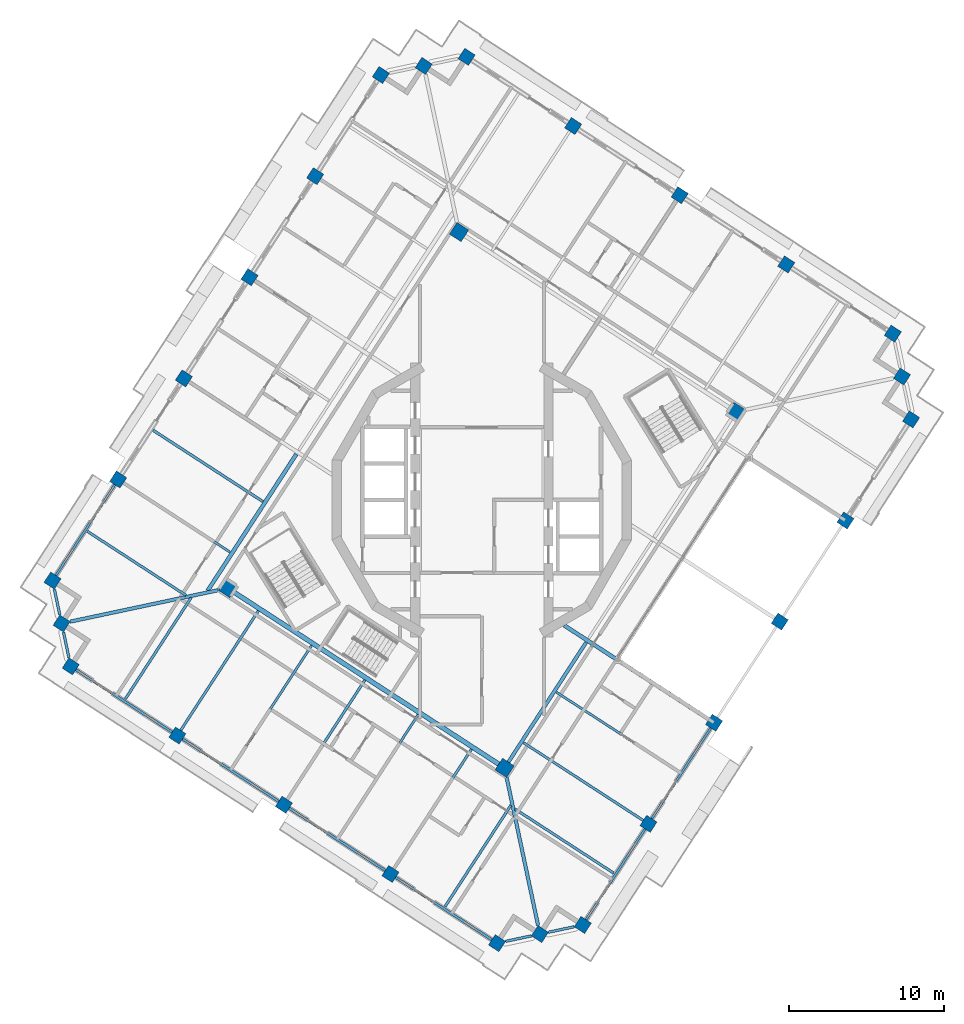
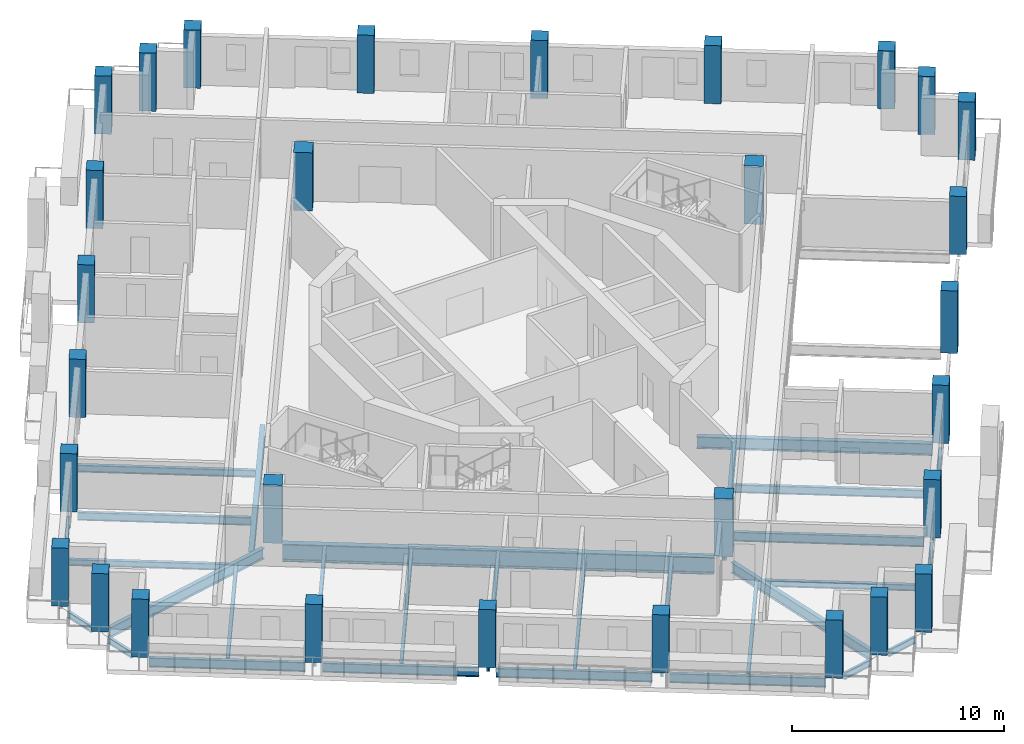
# One storey, part 1 of 17: 30 beams, 30 columns.
"""IFC4 building model written with IfcOpenShell, lengths in metres."""

import ifcopenshell
import ifcopenshell.guid

model = None  # the IFC model being written
_history = None  # IfcOwnerHistory: only IFC2X3 demands one
_inside = {}  # id of a spatial element -> (the spatial element, [elements in it])
_under = {}  # id of a project, library or spatial element -> (it, [spatial elements below it])
_declared = {}  # id of a project -> (the project, [libraries it declares])
_typed = {}  # id of a type object -> (the type object, [elements of that type])
_made_of = {}  # id of a material, layer set ... -> (it, [elements and type objects made of it])


def new_model(schema):
    """Start an empty IFC model of exactly this schema.

    Asked for "IFC4X3", IfcOpenShell would pick the latest addendum, in which some entities
    have other attributes; the version numbers below select the first issue.
    IFC2X3 requires an IfcOwnerHistory on every rooted entity: one is made here for all.
    """
    global model, _history
    if schema == "IFC4X3":
        model = ifcopenshell.file(schema_version=(4, 3, 0, 0))
    else:
        model = ifcopenshell.file(schema=schema)
    _inside.clear()
    _under.clear()
    _declared.clear()
    _typed.clear()
    _made_of.clear()
    _history = None
    if model.schema == "IFC2X3":
        org = make("IfcOrganization", Name="unknown")
        user = make(
            "IfcPersonAndOrganization",
            ThePerson=make("IfcPerson", FamilyName="unknown"),
            TheOrganization=org,
        )
        app = make(
            "IfcApplication",
            ApplicationDeveloper=org,
            Version="unknown",
            ApplicationFullName="unknown",
            ApplicationIdentifier="unknown",
        )
        _history = make(
            "IfcOwnerHistory",
            OwningUser=user,
            OwningApplication=app,
            ChangeAction="ADDED",
            CreationDate=0,
        )
    return model


def make(cls, **values):
    """One entity of the class cls with the attributes given. An attribute that is None is left unset."""
    return model.create_entity(
        cls, **{name: value for name, value in values.items() if value is not None}
    )


def rooted(cls, **values):
    """An entity with a GlobalId (a new one), such as an element, a storey or a relation."""
    return make(cls, GlobalId=ifcopenshell.guid.new(), OwnerHistory=_history, **values)


def si_unit(unit_type, name, prefix=None):
    """IfcSIUnit, for example si_unit("LENGTHUNIT", "METRE", prefix="MILLI")."""
    return make("IfcSIUnit", UnitType=unit_type, Prefix=prefix, Name=name)


def assignment(units):
    """IfcUnitAssignment: the units of a project."""
    return None if units is None else make("IfcUnitAssignment", Units=units)


def point(xyz):
    """IfcCartesianPoint."""
    return None if xyz is None else make("IfcCartesianPoint", Coordinates=xyz)


def direction(xyz):
    """IfcDirection."""
    return None if xyz is None else make("IfcDirection", DirectionRatios=xyz)


def frame(location, z_axis=None, x_axis=None):
    """IfcAxis2Placement3D, a coordinate frame: its origin and axes. An axis left out is left unset."""
    return make(
        "IfcAxis2Placement3D",
        Location=point(location),
        Axis=direction(z_axis),
        RefDirection=direction(x_axis),
    )


def frame_2d(location, x_axis=None):
    """IfcAxis2Placement2D, a coordinate frame in the plane: its origin and x axis."""
    return make(
        "IfcAxis2Placement2D", Location=point(location), RefDirection=direction(x_axis)
    )


def origin():
    """The frame at (0, 0, 0) with its axes left unset."""
    return frame((0.0, 0.0, 0.0))


def origin_2d():
    """The frame at (0, 0) in the plane with its x axis left unset."""
    return frame_2d((0.0, 0.0))


def place(relative_to, where):
    """IfcLocalPlacement: puts the frame where relative to a parent placement (None: the world)."""
    return make(
        "IfcLocalPlacement", PlacementRelTo=relative_to, RelativePlacement=where
    )


def context(
    kind, dimensions, precision=None, world=None, true_north=None, identifier=None
):
    """IfcGeometricRepresentationContext, for example the 3D "Model" context."""
    return make(
        "IfcGeometricRepresentationContext",
        ContextIdentifier=identifier,
        ContextType=kind,
        CoordinateSpaceDimension=dimensions,
        Precision=precision,
        WorldCoordinateSystem=world,
        TrueNorth=true_north,
    )


def subcontext(parent, identifier, kind, view, scale=None):
    """IfcGeometricRepresentationSubContext, for example "Body" below "Model"."""
    return make(
        "IfcGeometricRepresentationSubContext",
        ContextIdentifier=identifier,
        ContextType=kind,
        ParentContext=parent,
        TargetScale=scale,
        TargetView=view,
    )


def project(units=None, contexts=None):
    """IfcProject with its units and contexts."""
    return rooted(
        "IfcProject",
        Name="project",
        RepresentationContexts=contexts,
        UnitsInContext=assignment(units),
    )


def spatial(cls, under=None, at=None, **own):
    """A site, building, storey or space (cls), placed at a placement, below another one or the project."""
    s = rooted(cls, ObjectPlacement=at, **own)
    if under is not None:
        _under.setdefault(under.id(), (under, []))[1].append(s)
    return s


def profile(cls, at=None, kind="AREA", **sizes):
    """A parametric profile (cls). Its sizes go by their IFC names, for example OverallWidth=200.0."""
    return make(cls, ProfileType=kind, Position=at, **sizes)


def rectangle(**sizes):
    """IfcRectangleProfileDef."""
    return profile("IfcRectangleProfileDef", **sizes)


def i_section(**sizes):
    """IfcIShapeProfileDef."""
    return profile("IfcIShapeProfileDef", **sizes)


def extrude(swept, where, along, depth):
    """IfcExtrudedAreaSolid: the profile swept, set in the frame where, extruded along a direction by depth."""
    return make(
        "IfcExtrudedAreaSolid",
        SweptArea=swept,
        Position=where,
        ExtrudedDirection=direction(along),
        Depth=depth,
    )


def shape(context_of_items, identifier, shape_type, items):
    """IfcShapeRepresentation: the items that make up one representation, for example the "Body"."""
    return make(
        "IfcShapeRepresentation",
        ContextOfItems=context_of_items,
        RepresentationIdentifier=identifier,
        RepresentationType=shape_type,
        Items=items,
    )


def material(Name=None, Category=None):
    """IfcMaterial."""
    return make("IfcMaterial", Name=Name, Category=Category)


def material_profile(
    of_material, cross_section, Name=None, Category=None, Priority=None
):
    """IfcMaterialProfile: a cross section and its material."""
    return make(
        "IfcMaterialProfile",
        Name=Name,
        Material=of_material,
        Profile=cross_section,
        Priority=Priority,
        Category=Category,
    )


def profile_set(profiles, Name=None, composite=None):
    """IfcMaterialProfileSet."""
    return make(
        "IfcMaterialProfileSet",
        Name=Name,
        MaterialProfiles=profiles,
        CompositeProfile=composite,
    )


def made_of(thing, what):
    """Note that an element or type object is made of a material, layer set ...; save() writes the relation."""
    if what is not None:
        _made_of.setdefault(what.id(), (what, []))[1].append(thing)
    return thing


def type_object(cls, material=None, **own):
    """A type object (cls), such as IfcWallType, which elements share."""
    return made_of(rooted(cls, **own), material)


def element(
    cls,
    number,
    at=None,
    inside=None,
    cuts=None,
    type_object=None,
    material=None,
    context=None,
    identifier="Body",
    shape_type=None,
    held_by="IfcProductDefinitionShape",
    body=None,
    shapes=None,
    **own,
):
    """One element of the class cls, such as IfcWall. Its Tag is "e" and its number.

    at: its placement. inside: the storey or other place that contains it. cuts: it is an
    opening in that element (IfcRelVoidsElement). A single representation is given by context,
    identifier, shape_type and body (its items); several are given by shapes. held_by: the class
    of the entity that holds the representations. save() writes the other relations.
    """
    e = rooted(cls, Tag="e%d" % number, ObjectPlacement=at, **own)
    if body is not None:
        shapes = [shape(context, identifier, shape_type, body)]
    if shapes is not None:
        e.Representation = make(held_by, Representations=shapes)
    if inside is not None:
        _inside.setdefault(inside.id(), (inside, []))[1].append(e)
    if cuts is not None:
        rooted(
            "IfcRelVoidsElement", RelatingBuildingElement=cuts, RelatedOpeningElement=e
        )
    if type_object is not None:
        _typed.setdefault(type_object.id(), (type_object, []))[1].append(e)
    return made_of(e, material)


def aggregate(whole, parts):
    """IfcRelAggregates: a whole, such as a stair, and the parts it consists of."""
    return rooted("IfcRelAggregates", RelatingObject=whole, RelatedObjects=parts)


def save(model, path):
    """Write the relations noted so far, then the file.

    IfcRelAggregates (storeys below a building ...), IfcRelContainedInSpatialStructure (elements
    in a storey), IfcRelDefinesByType, IfcRelAssociatesMaterial and IfcRelDeclares: one each for
    every whole, place, type object, material and project.
    """
    for whole, parts in _under.values():
        aggregate(whole, parts)
    for where, things in _inside.values():
        rooted(
            "IfcRelContainedInSpatialStructure",
            RelatedElements=things,
            RelatingStructure=where,
        )
    for kind, things in _typed.values():
        rooted("IfcRelDefinesByType", RelatedObjects=things, RelatingType=kind)
    for what, things in _made_of.values():
        rooted("IfcRelAssociatesMaterial", RelatedObjects=things, RelatingMaterial=what)
    for by, libraries in _declared.values():
        rooted("IfcRelDeclares", RelatingContext=by, RelatedDefinitions=libraries)
    model.write(path)


model = new_model("IFC4")

# Units and contexts
model_context = context("Model", 3, precision=1e-05, world=origin(), true_north=direction((0.0, 1.0)))
body_context = subcontext(model_context, "Body", "Model", "MODEL_VIEW")
ifc_project = project(units=[si_unit("LENGTHUNIT", "METRE"), si_unit("AREAUNIT", "SQUARE_METRE"), si_unit("VOLUMEUNIT", "CUBIC_METRE"), si_unit("PLANEANGLEUNIT", "RADIAN"), si_unit("MASSUNIT", "GRAM", prefix="KILO")], contexts=[model_context])

# Site, building, storey
site_placement = place(None, origin())
site = spatial("IfcSite", under=ifc_project, at=site_placement, CompositionType="ELEMENT")
building_placement = place(site_placement, origin())
building = spatial("IfcBuilding", under=site, at=building_placement, Name="Cantera Rosa Tower", CompositionType="ELEMENT")
storey_placement = place(building_placement, frame((0.0, 0.0, 264.89990234375)))
storey = spatial("IfcBuildingStorey", under=building, at=storey_placement, Name="L59", CompositionType="ELEMENT", Elevation=264.89990234375)

# Columns
ifc_material_1 = material(Name="Concrete C50/60", Category="concrete")
ifc_material_profile_1 = material_profile(ifc_material_1, rectangle(XDim=0.800048828125, YDim=0.800048828125, at=origin_2d()), Name="RC COLUMN RC800X800 C50/60")
ifc_profile_set_1 = profile_set([ifc_material_profile_1], Name="Concrete C50/60")
column_type_1 = type_object("IfcColumnType", Name="RC COLUMN RC800X800 C50/60", PredefinedType="COLUMN", material=ifc_profile_set_1)
for number, where, z_axis, x_axis, name in (
    (1, (26.52587890625, 10.73486328125, 0.0), (0.0, 0.0, 1.0), (0.544639035015, 0.838670567945, 0.0), "C-Z5-01 L59"),
    (2, (19.64892578125, 15.20068359375, 0.0), (0.0, 0.0, 1.0), (0.544639035015, 0.838670567945, 0.0), "C-Z5-02 L59"),
    (3, (12.771728515625, 19.666748046875, 0.0), (0.0, 0.0, 1.0), (0.544639035015, 0.838670567945, 0.0), "C-Z5-03 L59"),
    (4, (5.894775390625, 24.1328125, 0.0), (0.0, 0.0, 1.0), (0.544639035015, 0.838670567945, 0.0), "C-Z5-04 L59"),
    (5, (-0.982421875, 28.598876953125, 0.0), (0.0, 0.0, 1.0), (0.544639035015, 0.838670567945, 0.0), "C-Z5-05 L59"),
    (6, (-3.7490234375, 28.0107421875, 0.0), (0.0, 0.0, 1.0), (0.544639035015, 0.838670567945, 0.0), "C-Z5-06 L59"),
    (7, (-6.515625, 27.4228515625, 0.0), (0.0, 0.0, 1.0), (0.544639035015, 0.838670567945, 0.0), "C-Z5-07 L59"),
    (8, (-10.7529296875, 20.89794921875, 0.0), (0.0, 0.0, 1.0), (0.544639035015, 0.838670567945, 0.0), "C-Z5-08 L59"),
    (9, (-14.990234375, 14.373046875, 0.0), (0.0, 0.0, 1.0), (0.544639035015, 0.838670567945, 0.0), "C-Z5-09 L59"),
    (10, (-19.2275390625, 7.84814453125, 0.0), (0.0, 0.0, 1.0), (0.544639035015, 0.838670567945, 0.0), "C-Z5-10 L59"),
    (11, (-23.46484375, 1.3232421875, 0.0), (0.0, 0.0, 1.0), (0.544639035015, 0.838670567945, 0.0), "C-Z5-11 L59"),
    (12, (-27.7021484375, -5.201416015625, 0.0), (0.0, 0.0, 1.0), (0.544639035015, 0.838670567945, 0.0), "C-Z5-12 L59"),
    (13, (-27.114013671875, -7.968017578125, 0.0), (0.0, 0.0, 1.0), (0.544639035015, 0.838670567945, 0.0), "C-Z5-13 L59"),
    (14, (-26.52587890625, -10.73486328125, 0.0), (0.0, 0.0, 1.0), (0.544639035015, 0.838670567945, 0.0), "C-Z5-14 L59"),
    (15, (-19.64892578125, -15.20068359375, 0.0), (0.0, 0.0, 1.0), (0.544639035015, 0.838670567945, 0.0), "C-Z5-15 L59"),
    (16, (-12.771728515625, -19.666748046875, 0.0), (0.0, 0.0, 1.0), (0.544639035015, 0.838670567945, 0.0), "C-Z5-16 L59"),
    (17, (-5.894775390625, -24.1328125, 0.0), (0.0, 0.0, 1.0), (0.544639035015, 0.838670567945, 0.0), "C-Z5-17 L59"),
    (18, (0.982421875, -28.598876953125, 0.0), (0.0, 0.0, 1.0), (0.544639035015, 0.838670567945, 0.0), "C-Z5-18 L59"),
    (19, (3.7490234375, -28.0107421875, 0.0), (0.0, 0.0, 1.0), (0.544639035015, 0.838670567945, 0.0), "C-Z5-19 L59"),
    (20, (6.515625, -27.4228515625, 0.0), (0.0, 0.0, 1.0), (0.544639035015, 0.838670567945, 0.0), "C-Z5-20 L59"),
    (21, (10.7529296875, -20.89794921875, 0.0), (0.0, 0.0, 1.0), (0.544639035015, 0.838670567945, 0.0), "C-Z5-21 L59"),
    (22, (14.990234375, -14.373046875, 0.0), (0.0, 0.0, 1.0), (0.544639035015, 0.838670567945, 0.0), "C-Z5-22 L59"),
):
    element("IfcColumn", number, at=place(storey_placement, frame(where, z_axis=z_axis, x_axis=x_axis)), inside=storey, type_object=column_type_1, Name=name, PredefinedType="COLUMN", context=body_context, shape_type="SweptSolid", body=[
        extrude(rectangle(XDim=0.800048828125, YDim=0.800048828125, at=origin_2d()), origin(), (0.0, 0.0, 1.0), 3.35009765625),
    ])
column_placement = place(storey_placement, frame((19.2275390625, -7.84814453125, -0.25), z_axis=(0.0, 0.0, 1.0), x_axis=(0.544639035015, 0.838670567945, 0.0)))
element("IfcColumn", 23, at=column_placement, inside=storey, type_object=column_type_1, Name="C-Z5-23 L59", PredefinedType="COLUMN", context=body_context, shape_type="SweptSolid", body=[
    extrude(rectangle(XDim=0.800048828125, YDim=0.800048828125, at=origin_2d()), origin(), (0.0, 0.0, 1.0), 3.60009765625),
])
for number, where, z_axis, x_axis, name in (
    (24, (23.46484375, -1.3232421875, 0.0), (0.0, 0.0, 1.0), (0.544639035015, 0.838670567945, 0.0), "C-Z5-24 L59"),
    (25, (27.7021484375, 5.201416015625, 0.0), (0.0, 0.0, 1.0), (0.544639035015, 0.838670567945, 0.0), "C-Z5-25 L59"),
    (26, (27.114013671875, 7.968017578125, 0.0), (0.0, 0.0, 1.0), (0.544639035015, 0.838670567945, 0.0), "C-Z5-26 L59"),
):
    element("IfcColumn", number, at=place(storey_placement, frame(where, z_axis=z_axis, x_axis=x_axis)), inside=storey, type_object=column_type_1, Name=name, PredefinedType="COLUMN", context=body_context, shape_type="SweptSolid", body=[
        extrude(rectangle(XDim=0.800048828125, YDim=0.800048828125, at=origin_2d()), origin(), (0.0, 0.0, 1.0), 3.35009765625),
    ])
ifc_material_2 = material(Name="Concrete C50/60", Category="concrete")
ifc_material_profile_2 = material_profile(ifc_material_2, rectangle(XDim=0.89990234375, YDim=0.89990234375, at=origin_2d()), Name="RC RING COLUMN RC900X900 C50/60")
ifc_profile_set_2 = profile_set([ifc_material_profile_2], Name="Concrete C50/60")
column_type_2 = type_object("IfcColumnType", Name="RC RING COLUMN RC900X900 C50/60", PredefinedType="COLUMN", material=ifc_profile_set_2)
for number, where, z_axis, x_axis, name in (
    (27, (-1.47021484375, 17.290283203125, 0.0), (0.0, 0.0, 1.0), (0.544639035015, 0.838670567945, 0.0), "CI-Z5-1 L59"),
    (28, (-16.393310546875, -5.689453125, 0.0), (0.0, 0.0, 1.0), (0.544639035015, 0.838670567945, 0.0), "CI-Z5-2 L59"),
    (29, (1.47021484375, -17.290283203125, 0.0), (0.0, 0.0, 1.0), (0.544639035015, 0.838670567945, 0.0), "CI-Z5-3 L59"),
    (30, (16.393310546875, 5.689453125, 0.0), (0.0, 0.0, 1.0), (0.544639035015, 0.838670567945, 0.0), "CI-Z5-4 L59"),
):
    element("IfcColumn", number, at=place(storey_placement, frame(where, z_axis=z_axis, x_axis=x_axis)), inside=storey, type_object=column_type_2, Name=name, PredefinedType="COLUMN", context=body_context, shape_type="SweptSolid", body=[
        extrude(rectangle(XDim=0.89990234375, YDim=0.89990234375, at=origin_2d()), origin(), (0.0, 0.0, 1.0), 3.35009765625),
    ])

# Beams
ifc_material_3 = material(Name="Steel ASTM A992 (Fy 345 MPa)", Category="steel")
ifc_material_profile_3 = material_profile(ifc_material_3, i_section(OverallWidth=0.302001953125, OverallDepth=1.010009765625, WebThickness=0.02099609375, FlangeThickness=0.0400390625, FilletRadius=0.030029296875, at=origin_2d()), Name="W1000X350")
ifc_profile_set_3 = profile_set([ifc_material_profile_3], Name="Steel ASTM A992 (Fy 345 MPa)")
beam_type_1 = type_object("IfcBeamType", Name="STEEL BEAM W1000X350", PredefinedType="BEAM", material=ifc_profile_set_3)
beam_1_placement = place(storey_placement, frame((1.0927734375, -17.045166015625, -0.7548828125), z_axis=(-0.838671580977, 0.54463747508, 0.0), x_axis=(-0.54463747508, -0.838671580977, 0.0)))
element("IfcBeam", 31, at=beam_1_placement, inside=storey, type_object=beam_type_1, Name="RB-Z5-09 L59", PredefinedType="BEAM", context=body_context, shape_type="SweptSolid", body=[
    extrude(i_section(OverallWidth=0.302001953125, OverallDepth=1.010009765625, WebThickness=0.02099609375, FlangeThickness=0.0400390625, FilletRadius=0.030029296875, at=origin_2d()), origin(), (0.0, 0.0, 1.0), 20.39990234375),
])
ifc_material_4 = material(Name="Steel ASTM A992 (Fy 345 MPa)", Category="steel")
ifc_material_profile_4 = material_profile(ifc_material_4, i_section(OverallWidth=0.154052734375, OverallDepth=0.4599609375, WebThickness=0.009033203125, FlangeThickness=0.015380859375, FilletRadius=0.01025390625, at=origin_2d()), Name="W460X68")
ifc_profile_set_4 = profile_set([ifc_material_profile_4], Name="Steel ASTM A992 (Fy 345 MPa)")
beam_type_2 = type_object("IfcBeamType", Name="STEEL BEAM W460X68", PredefinedType="BEAM", material=ifc_profile_set_4)
beam_2_placement = place(storey_placement, frame((-23.12939453125, 1.10546875, -0.47998046875), z_axis=(0.838672777751, -0.544635632198, 0.0), x_axis=(0.544635632198, 0.838672777751, 0.0)))
element("IfcBeam", 32, at=beam_2_placement, inside=storey, type_object=beam_type_2, Name="G-Z5-07 L59", PredefinedType="BEAM", context=body_context, shape_type="SweptSolid", body=[
    extrude(i_section(OverallWidth=0.154052734375, OverallDepth=0.4599609375, WebThickness=0.009033203125, FlangeThickness=0.015380859375, FilletRadius=0.01025390625, at=origin_2d()), origin(), (0.0, 0.0, 1.0), 8.2001953125),
])
ifc_material_5 = material(Name="Steel ASTM A992 (Fy 345 MPa)", Category="steel")
ifc_material_profile_5 = material_profile(ifc_material_5, i_section(OverallWidth=0.166015625, OverallDepth=0.528076171875, WebThickness=0.009765625, FlangeThickness=0.013671875, FilletRadius=0.0126953125, at=origin_2d()), Name="W530X74")
ifc_profile_set_5 = profile_set([ifc_material_profile_5], Name="Steel ASTM A992 (Fy 345 MPa)")
beam_type_3 = type_object("IfcBeamType", Name="STEEL BEAM W530X74", PredefinedType="BEAM", material=ifc_profile_set_5)
beam_3_placement = place(storey_placement, frame((10.41748046875, -20.68017578125, -0.513916015625), z_axis=(-0.838669083999, 0.544641320086, 0.0), x_axis=(-0.544641320086, -0.838669083999, 0.0)))
element("IfcBeam", 33, at=beam_3_placement, inside=storey, type_object=beam_type_3, Name="G-Z5-08 L59", PredefinedType="BEAM", context=body_context, shape_type="SweptSolid", body=[
    extrude(i_section(OverallWidth=0.166015625, OverallDepth=0.528076171875, WebThickness=0.009765625, FlangeThickness=0.013671875, FilletRadius=0.0126953125, at=origin_2d()), origin(), (0.0, 0.0, 1.0), 9.2001953125),
])
beam_4_placement = place(storey_placement, frame((-19.430908203125, -14.865234375, -0.513916015625), z_axis=(0.544634776066, 0.838673333724, 0.0), x_axis=(-0.838673333724, 0.544634776066, 0.0)))
element("IfcBeam", 34, at=beam_4_placement, inside=storey, type_object=beam_type_3, Name="G-Z5-12 L59", PredefinedType="BEAM", context=body_context, shape_type="SweptSolid", body=[
    extrude(i_section(OverallWidth=0.166015625, OverallDepth=0.528076171875, WebThickness=0.009765625, FlangeThickness=0.013671875, FilletRadius=0.0126953125, at=origin_2d()), origin(), (0.0, 0.0, 1.0), 9.19970703125),
])
beam_5_placement = place(storey_placement, frame((-12.553955078125, -19.331298828125, -0.513916015625), z_axis=(0.544641320086, 0.838669083999, 0.0), x_axis=(-0.838669083999, 0.544641320086, 0.0)))
element("IfcBeam", 35, at=beam_5_placement, inside=storey, type_object=beam_type_3, Name="G-Z5-13 L59", PredefinedType="BEAM", context=body_context, shape_type="SweptSolid", body=[
    extrude(i_section(OverallWidth=0.166015625, OverallDepth=0.528076171875, WebThickness=0.009765625, FlangeThickness=0.013671875, FilletRadius=0.0126953125, at=origin_2d()), origin(), (0.0, 0.0, 1.0), 9.2001953125),
])
beam_6_placement = place(storey_placement, frame((-5.6767578125, -23.79736328125, -0.513916015625), z_axis=(0.544622654601, 0.838681205283, 0.0), x_axis=(-0.838681205283, 0.544622654601, 0.0)))
element("IfcBeam", 36, at=beam_6_placement, inside=storey, type_object=beam_type_3, Name="G-Z5-14 L59", PredefinedType="BEAM", context=body_context, shape_type="SweptSolid", body=[
    extrude(i_section(OverallWidth=0.166015625, OverallDepth=0.528076171875, WebThickness=0.009765625, FlangeThickness=0.013671875, FilletRadius=0.0126953125, at=origin_2d()), origin(), (0.0, 0.0, 1.0), 9.199951171875),
])
ifc_material_6 = material(Name="Steel ASTM A992 (Fy 345 MPa)", Category="steel")
ifc_material_profile_6 = material_profile(ifc_material_6, i_section(OverallWidth=0.22802734375, OverallDepth=0.60205078125, WebThickness=0.010498046875, FlangeThickness=0.014892578125, FilletRadius=0.0126953125, at=origin_2d()), Name="W610X101")
ifc_profile_set_6 = profile_set([ifc_material_profile_6], Name="Steel ASTM A992 (Fy 345 MPa)")
beam_type_4 = type_object("IfcBeamType", Name="STEEL BEAM W610X101", PredefinedType="BEAM", material=ifc_profile_set_6)
for number, where, z_axis, x_axis, name in (
    (37, (-26.560791015625, -7.8505859375, -0.55078125), (0.978148167214, 0.20790902572, 0.0), (-0.20790902572, 0.978148167214, 0.0), "CB-Z5-02 L59"),
    (38, (3.63134765625, -27.45751953125, -0.55078125), (-0.20790902572, 0.978148167214, 0.0), (-0.978148167214, -0.20790902572, 0.0), "CB-Z5-03 L59"),
):
    element("IfcBeam", number, at=place(storey_placement, frame(where, z_axis=z_axis, x_axis=x_axis)), inside=storey, type_object=beam_type_4, Name=name, PredefinedType="BEAM", context=body_context, shape_type="SweptSolid", body=[
        extrude(i_section(OverallWidth=0.22802734375, OverallDepth=0.60205078125, WebThickness=0.010498046875, FlangeThickness=0.014892578125, FilletRadius=0.0126953125, at=origin_2d()), origin(), (0.0, 0.0, 1.0), 9.758056640625),
    ])
beam_7_placement = place(storey_placement, frame((1.71533203125, -16.912841796875, -0.55078125), z_axis=(0.54463982867, 0.838670052539, 0.0), x_axis=(-0.838670052539, 0.54463982867, 0.0)))
element("IfcBeam", 39, at=beam_7_placement, inside=storey, type_object=beam_type_4, Name="RB-Z5-04 L59", PredefinedType="BEAM", context=body_context, shape_type="SweptSolid", body=[
    extrude(i_section(OverallWidth=0.22802734375, OverallDepth=0.60205078125, WebThickness=0.010498046875, FlangeThickness=0.014892578125, FilletRadius=0.0126953125, at=origin_2d()), origin(), (0.0, 0.0, 1.0), 9.2099609375),
])
ifc_material_7 = material(Name="Steel ASTM A992 (Fy 345 MPa)", Category="steel")
ifc_material_profile_7 = material_profile(ifc_material_7, i_section(OverallWidth=0.25390625, OverallDepth=0.677978515625, WebThickness=0.01171875, FlangeThickness=0.016357421875, FilletRadius=0.01513671875, at=origin_2d()), Name="W690X125")
ifc_profile_set_7 = profile_set([ifc_material_profile_7], Name="Steel ASTM A992 (Fy 345 MPa)")
beam_type_5 = type_object("IfcBeamType", Name="STEEL BEAM W690X125", PredefinedType="BEAM", material=ifc_profile_set_7)
beam_8_placement = place(storey_placement, frame((14.65478515625, -14.1552734375, -0.5888671875), z_axis=(-0.838661833747, 0.544652484265, 0.0), x_axis=(-0.544652484265, -0.838661833747, 0.0)))
element("IfcBeam", 40, at=beam_8_placement, inside=storey, type_object=beam_type_5, Name="G-Z5-09 L59", PredefinedType="BEAM", context=body_context, shape_type="SweptSolid", body=[
    extrude(i_section(OverallWidth=0.25390625, OverallDepth=0.677978515625, WebThickness=0.01171875, FlangeThickness=0.016357421875, FilletRadius=0.01513671875, at=origin_2d()), origin(), (0.0, 0.0, 1.0), 11.141357421875),
])
beam_9_placement = place(storey_placement, frame((-17.695068359375, -5.857666015625, -0.5888671875), z_axis=(0.544635575355, 0.838672814665, 0.0), x_axis=(-0.838672814665, 0.544635575355, 0.0)))
element("IfcBeam", 41, at=beam_9_placement, inside=storey, type_object=beam_type_5, Name="RB-Z5-01 L59", PredefinedType="BEAM", context=body_context, shape_type="SweptSolid", body=[
    extrude(i_section(OverallWidth=0.25390625, OverallDepth=0.677978515625, WebThickness=0.01171875, FlangeThickness=0.016357421875, FilletRadius=0.01513671875, at=origin_2d()), origin(), (0.0, 0.0, 1.0), 10.510009765625),
])
ifc_material_8 = material(Name="Steel ASTM A992 (Fy 345 MPa)", Category="steel")
ifc_material_profile_8 = material_profile(ifc_material_8, i_section(OverallWidth=0.1708984375, OverallDepth=0.35595703125, WebThickness=0.00732421875, FlangeThickness=0.01171875, FilletRadius=0.010009765625, at=origin_2d()), Name="W360X51")
ifc_profile_set_8 = profile_set([ifc_material_profile_8], Name="Steel ASTM A992 (Fy 345 MPa)")
beam_type_6 = type_object("IfcBeamType", Name="STEEL JOIST W360X51", PredefinedType="JOIST", material=ifc_profile_set_8)
beam_10_placement = place(storey_placement, frame((-25.457763671875, -2.020751953125, -0.427978515625), z_axis=(0.838680170462, -0.54462424815, 0.0), x_axis=(0.54462424815, 0.838680170462, 0.0)))
element("IfcBeam", 42, at=beam_10_placement, inside=storey, type_object=beam_type_6, Name="B-Z5-09 L59", PredefinedType="JOIST", context=body_context, shape_type="SweptSolid", body=[
    extrude(i_section(OverallWidth=0.1708984375, OverallDepth=0.35595703125, WebThickness=0.00732421875, FlangeThickness=0.01171875, FilletRadius=0.010009765625, at=origin_2d()), origin(), (0.0, 0.0, 1.0), 7.590087890625),
])
beam_11_placement = place(storey_placement, frame((8.508544921875, -24.07861328125, -0.427978515625), z_axis=(-0.838670629323, 0.544638940502, 0.0), x_axis=(-0.544638940502, -0.838670629323, 0.0)))
element("IfcBeam", 43, at=beam_11_placement, inside=storey, type_object=beam_type_6, Name="B-Z5-10 L59", PredefinedType="JOIST", context=body_context, shape_type="SweptSolid", body=[
    extrude(i_section(OverallWidth=0.1708984375, OverallDepth=0.35595703125, WebThickness=0.00732421875, FlangeThickness=0.01171875, FilletRadius=0.010009765625, at=origin_2d()), origin(), (0.0, 0.0, 1.0), 7.58984375),
])
for number, where, z_axis, x_axis, name in (
    (44, (-23.005859375, -12.842041015625, -0.427978515625), (0.544641754757, 0.838668801718, 0.0), (-0.838668801718, 0.544641754757, 0.0), "B-Z5-15 L59"),
    (45, (-2.37451171875, -26.239990234375, -0.427978515625), (0.54465605183, 0.838659516851, 0.0), (-0.838659516851, 0.54465605183, 0.0), "B-Z5-18 L59"),
):
    element("IfcBeam", number, at=place(storey_placement, frame(where, z_axis=z_axis, x_axis=x_axis)), inside=storey, type_object=beam_type_6, Name=name, PredefinedType="JOIST", context=body_context, shape_type="SweptSolid", body=[
        extrude(i_section(OverallWidth=0.1708984375, OverallDepth=0.35595703125, WebThickness=0.00732421875, FlangeThickness=0.01171875, FilletRadius=0.010009765625, at=origin_2d()), origin(), (0.0, 0.0, 1.0), 7.800048828125),
    ])
ifc_material_9 = material(Name="Steel ASTM A992 (Fy 345 MPa)", Category="steel")
ifc_material_profile_9 = material_profile(ifc_material_9, i_section(OverallWidth=0.177978515625, OverallDepth=0.406005859375, WebThickness=0.0078125, FlangeThickness=0.0126953125, FilletRadius=0.01025390625, at=origin_2d()), Name="W410X60")
ifc_profile_set_9 = profile_set([ifc_material_profile_9], Name="Steel ASTM A992 (Fy 345 MPa)")
beam_type_7 = type_object("IfcBeamType", Name="STEEL JOIST W410X60", PredefinedType="JOIST", material=ifc_profile_set_9)
beam_12_placement = place(storey_placement, frame((-21.220458984375, 4.504150390625, -0.452880859375), z_axis=(0.838670615657, -0.544638961546, 0.0), x_axis=(0.544638961546, 0.838670615657, 0.0)))
element("IfcBeam", 46, at=beam_12_placement, inside=storey, type_object=beam_type_7, Name="B-Z5-08 L59", PredefinedType="JOIST", context=body_context, shape_type="SweptSolid", body=[
    extrude(i_section(OverallWidth=0.177978515625, OverallDepth=0.406005859375, WebThickness=0.0078125, FlangeThickness=0.0126953125, FilletRadius=0.01025390625, at=origin_2d()), origin(), (0.0, 0.0, 1.0), 8.4501953125),
])
ifc_material_10 = material(Name="Steel ASTM A992 (Fy 345 MPa)", Category="steel")
ifc_material_profile_10 = material_profile(ifc_material_10, i_section(OverallWidth=0.154052734375, OverallDepth=0.4599609375, WebThickness=0.009033203125, FlangeThickness=0.015380859375, FilletRadius=0.01025390625, at=origin_2d()), Name="W460X68")
ifc_profile_set_10 = profile_set([ifc_material_profile_10], Name="Steel ASTM A992 (Fy 345 MPa)")
beam_type_8 = type_object("IfcBeamType", Name="STEEL JOIST W460X68", PredefinedType="JOIST", material=ifc_profile_set_10)
beam_13_placement = place(storey_placement, frame((12.745849609375, -17.5537109375, -0.47998046875), z_axis=(-0.838679048974, 0.544625975154, 0.0), x_axis=(-0.544625975154, -0.838679048974, 0.0)))
element("IfcBeam", 47, at=beam_13_placement, inside=storey, type_object=beam_type_8, Name="B-Z5-11 L59", PredefinedType="JOIST", context=body_context, shape_type="SweptSolid", body=[
    extrude(i_section(OverallWidth=0.154052734375, OverallDepth=0.4599609375, WebThickness=0.009033203125, FlangeThickness=0.015380859375, FilletRadius=0.01025390625, at=origin_2d()), origin(), (0.0, 0.0, 1.0), 9.449951171875),
])
beam_14_placement = place(storey_placement, frame((-16.128662109375, -17.30810546875, -0.47998046875), z_axis=(0.544644146603, 0.838667248419, 0.0), x_axis=(-0.838667248419, 0.544644146603, 0.0)))
element("IfcBeam", 48, at=beam_14_placement, inside=storey, type_object=beam_type_8, Name="B-Z5-16 L59", PredefinedType="JOIST", context=body_context, shape_type="SweptSolid", body=[
    extrude(i_section(OverallWidth=0.154052734375, OverallDepth=0.4599609375, WebThickness=0.009033203125, FlangeThickness=0.015380859375, FilletRadius=0.01025390625, at=origin_2d()), origin(), (0.0, 0.0, 1.0), 9.4501953125),
])
beam_15_placement = place(storey_placement, frame((-9.25146484375, -21.77392578125, -0.47998046875), z_axis=(0.544637775879, 0.838671385636, 0.0), x_axis=(-0.838671385636, 0.544637775879, 0.0)))
element("IfcBeam", 49, at=beam_15_placement, inside=storey, type_object=beam_type_8, Name="B-Z5-17 L59", PredefinedType="JOIST", context=body_context, shape_type="SweptSolid", body=[
    extrude(i_section(OverallWidth=0.154052734375, OverallDepth=0.4599609375, WebThickness=0.009033203125, FlangeThickness=0.015380859375, FilletRadius=0.01025390625, at=origin_2d()), origin(), (0.0, 0.0, 1.0), 9.44970703125),
])
ifc_material_11 = material(Name="Steel ASTM A992 (Fy 345 MPa)", Category="steel")
ifc_material_profile_11 = material_profile(ifc_material_11, i_section(OverallWidth=0.1708984375, OverallDepth=0.35595703125, WebThickness=0.00732421875, FlangeThickness=0.01171875, FilletRadius=0.010009765625, at=origin_2d()), Name="W360X51")
ifc_profile_set_11 = profile_set([ifc_material_profile_11], Name="Steel ASTM A992 (Fy 345 MPa)")
beam_type_9 = type_object("IfcBeamType", Name="STEEL SPANDREL BEAM W360X51", PredefinedType="SPANDREL", material=ifc_profile_set_11)
for number, where, z_axis, x_axis, name in (
    (50, (-27.58447265625, -5.7548828125, -0.427978515625), (0.207888006632, -0.978152634663, 0.0), (0.978152634663, 0.207888006632, 0.0), "EB-Z5-12 L59"),
    (51, (-26.996337890625, -8.521484375, -0.427978515625), (0.207888006632, -0.978152634663, 0.0), (0.978152634663, 0.207888006632, 0.0), "EB-Z5-13 L59"),
):
    element("IfcBeam", number, at=place(storey_placement, frame(where, z_axis=z_axis, x_axis=x_axis)), inside=storey, type_object=beam_type_9, Name=name, PredefinedType="SPANDREL", context=body_context, shape_type="SweptSolid", body=[
        extrude(i_section(OverallWidth=0.1708984375, OverallDepth=0.35595703125, WebThickness=0.00732421875, FlangeThickness=0.01171875, FilletRadius=0.010009765625, at=origin_2d()), origin(), (0.0, 0.0, 1.0), 1.697021484375),
    ])
for number, where, z_axis, x_axis, name in (
    (52, (1.53564453125, -28.481201171875, -0.427978515625), (0.978158850918, 0.20785875582, 0.0), (-0.20785875582, 0.978158850918, 0.0), "EB-Z5-18 L59"),
    (53, (4.30224609375, -27.893310546875, -0.427978515625), (0.978129595322, 0.207996381593, 0.0), (-0.207996381593, 0.978129595322, 0.0), "EB-Z5-19 L59"),
):
    element("IfcBeam", number, at=place(storey_placement, frame(where, z_axis=z_axis, x_axis=x_axis)), inside=storey, type_object=beam_type_9, Name=name, PredefinedType="SPANDREL", context=body_context, shape_type="SweptSolid", body=[
        extrude(i_section(OverallWidth=0.1708984375, OverallDepth=0.35595703125, WebThickness=0.00732421875, FlangeThickness=0.01171875, FilletRadius=0.010009765625, at=origin_2d()), origin(), (0.0, 0.0, 1.0), 1.697265625),
    ])
ifc_material_12 = material(Name="Steel ASTM A992 (Fy 345 MPa)", Category="steel")
ifc_material_profile_12 = material_profile(ifc_material_12, i_section(OverallWidth=0.154052734375, OverallDepth=0.4599609375, WebThickness=0.009033203125, FlangeThickness=0.015380859375, FilletRadius=0.01025390625, at=origin_2d()), Name="W460X68")
ifc_profile_set_12 = profile_set([ifc_material_profile_12], Name="Steel ASTM A992 (Fy 345 MPa)")
beam_type_10 = type_object("IfcBeamType", Name="STEEL SPANDREL BEAM W460X68", PredefinedType="SPANDREL", material=ifc_profile_set_12)
beam_16_placement = place(storey_placement, frame((-23.6826171875, 0.98779296875, -0.47998046875), z_axis=(-0.544667428764, -0.838652128146, 0.0), x_axis=(0.838652128146, -0.544667428764, 0.0)))
element("IfcBeam", 54, at=beam_16_placement, inside=storey, type_object=beam_type_10, Name="EB-Z5-11 L59", PredefinedType="SPANDREL", context=body_context, shape_type="SweptSolid", body=[
    extrude(i_section(OverallWidth=0.154052734375, OverallDepth=0.4599609375, WebThickness=0.009033203125, FlangeThickness=0.015380859375, FilletRadius=0.01025390625, at=origin_2d()), origin(), (0.0, 0.0, 1.0), 6.97998046875),
])
for number, where, z_axis, x_axis, name in (
    (55, (6.7333984375, -27.08740234375, -0.47998046875), (0.544651451949, 0.838662504164, 0.0), (-0.838662504164, 0.544651451949, 0.0), "EB-Z5-20 L59"),
    (56, (10.970703125, -20.5625, -0.47998046875), (0.544651451949, 0.838662504164, 0.0), (-0.838662504164, 0.544651451949, 0.0), "EB-Z5-21 L59"),
):
    element("IfcBeam", number, at=place(storey_placement, frame(where, z_axis=z_axis, x_axis=x_axis)), inside=storey, type_object=beam_type_10, Name=name, PredefinedType="SPANDREL", context=body_context, shape_type="SweptSolid", body=[
        extrude(i_section(OverallWidth=0.154052734375, OverallDepth=0.4599609375, WebThickness=0.009033203125, FlangeThickness=0.015380859375, FilletRadius=0.01025390625, at=origin_2d()), origin(), (0.0, 0.0, 1.0), 6.980224609375),
    ])
ifc_material_13 = material(Name="Steel ASTM A992 (Fy 345 MPa)", Category="steel")
ifc_material_profile_13 = material_profile(ifc_material_13, i_section(OverallWidth=0.166015625, OverallDepth=0.528076171875, WebThickness=0.009765625, FlangeThickness=0.013671875, FilletRadius=0.0126953125, at=origin_2d()), Name="W530X74")
ifc_profile_set_13 = profile_set([ifc_material_profile_13], Name="Steel ASTM A992 (Fy 345 MPa)")
beam_type_11 = type_object("IfcBeamType", Name="STEEL SPANDREL BEAM W530X74", PredefinedType="SPANDREL", material=ifc_profile_set_13)
beam_17_placement = place(storey_placement, frame((-26.1904296875, -10.95263671875, -0.513916015625), z_axis=(0.838669679097, -0.544640403719, 0.0), x_axis=(0.544640403719, 0.838669679097, 0.0)))
element("IfcBeam", 57, at=beam_17_placement, inside=storey, type_object=beam_type_11, Name="EB-Z5-14 L59", PredefinedType="SPANDREL", context=body_context, shape_type="SweptSolid", body=[
    extrude(i_section(OverallWidth=0.166015625, OverallDepth=0.528076171875, WebThickness=0.009765625, FlangeThickness=0.013671875, FilletRadius=0.0126953125, at=origin_2d()), origin(), (0.0, 0.0, 1.0), 7.39990234375),
])
beam_18_placement = place(storey_placement, frame((-19.3134765625, -15.418701171875, -0.513916015625), z_axis=(0.838679465365, -0.544625333946, 0.0), x_axis=(0.544625333946, 0.838679465365, 0.0)))
element("IfcBeam", 58, at=beam_18_placement, inside=storey, type_object=beam_type_11, Name="EB-Z5-15 L59", PredefinedType="SPANDREL", context=body_context, shape_type="SweptSolid", body=[
    extrude(i_section(OverallWidth=0.166015625, OverallDepth=0.528076171875, WebThickness=0.009765625, FlangeThickness=0.013671875, FilletRadius=0.0126953125, at=origin_2d()), origin(), (0.0, 0.0, 1.0), 7.400146484375),
])
beam_19_placement = place(storey_placement, frame((-12.436279296875, -19.884765625, -0.513916015625), z_axis=(0.838669679097, -0.544640403719, 0.0), x_axis=(0.544640403719, 0.838669679097, 0.0)))
element("IfcBeam", 59, at=beam_19_placement, inside=storey, type_object=beam_type_11, Name="EB-Z5-16 L59", PredefinedType="SPANDREL", context=body_context, shape_type="SweptSolid", body=[
    extrude(i_section(OverallWidth=0.166015625, OverallDepth=0.528076171875, WebThickness=0.009765625, FlangeThickness=0.013671875, FilletRadius=0.0126953125, at=origin_2d()), origin(), (0.0, 0.0, 1.0), 7.39990234375),
])
beam_20_placement = place(storey_placement, frame((-5.559326171875, -24.350830078125, -0.513916015625), z_axis=(0.838679465365, -0.544625333946, 0.0), x_axis=(0.544625333946, 0.838679465365, 0.0)))
element("IfcBeam", 60, at=beam_20_placement, inside=storey, type_object=beam_type_11, Name="EB-Z5-17 L59", PredefinedType="SPANDREL", context=body_context, shape_type="SweptSolid", body=[
    extrude(i_section(OverallWidth=0.166015625, OverallDepth=0.528076171875, WebThickness=0.009765625, FlangeThickness=0.013671875, FilletRadius=0.0126953125, at=origin_2d()), origin(), (0.0, 0.0, 1.0), 7.400146484375),
])

save(model, "model.ifc")
